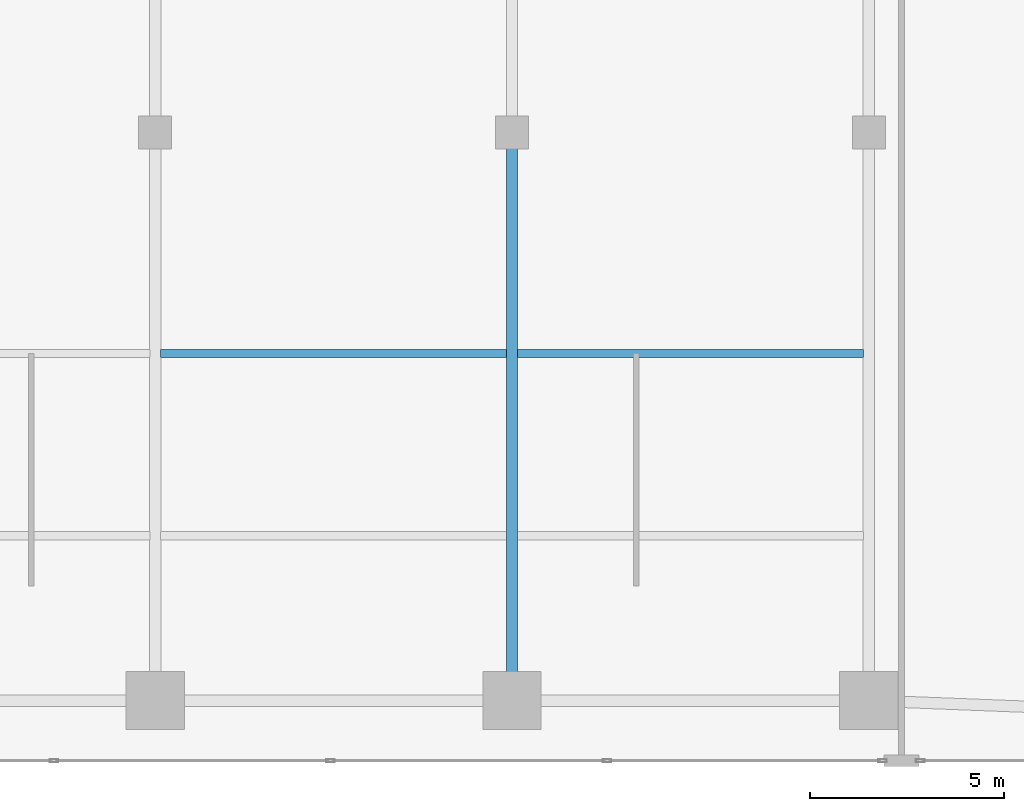
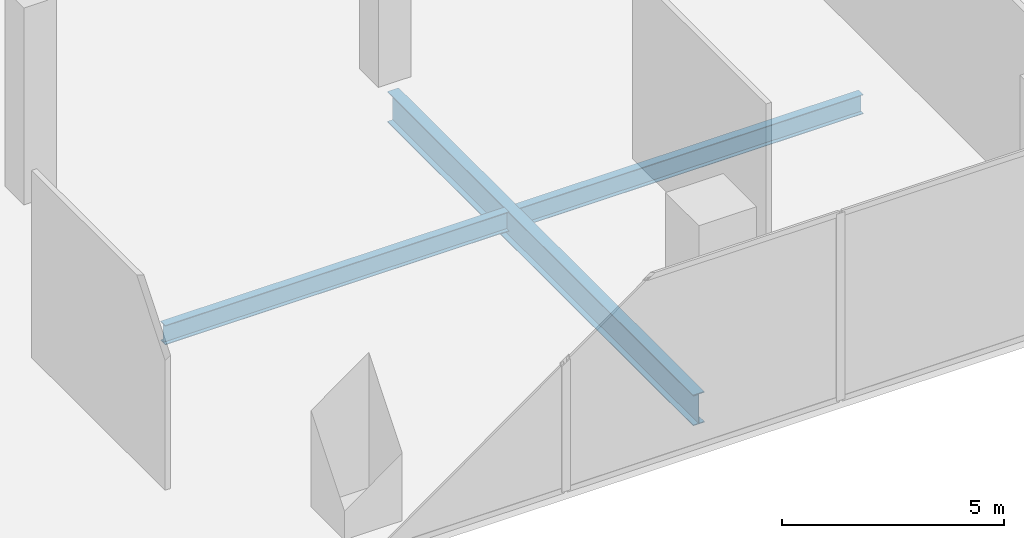
# One storey, part 9 of 30: 3 beams.
"""IFC4 building model written with IfcOpenShell, lengths in metres."""

from ifc_helpers import new_model, si_unit, direction, frame, origin, origin_2d, place, context, subcontext, project, spatial, i_section, extrude, material, material_profile, profile_set, type_object, element, save


model = new_model("IFC4")

# Units and contexts
model_context = context("Model", 3, precision=1e-05, world=origin(), true_north=direction((0.0, 1.0)))
body_context = subcontext(model_context, "Body", "Model", "MODEL_VIEW")
ifc_project = project(units=[si_unit("LENGTHUNIT", "METRE"), si_unit("AREAUNIT", "SQUARE_METRE"), si_unit("VOLUMEUNIT", "CUBIC_METRE"), si_unit("PLANEANGLEUNIT", "RADIAN"), si_unit("MASSUNIT", "GRAM", prefix="KILO")], contexts=[model_context])

# Site, building, storey
site_placement = place(None, origin())
site = spatial("IfcSite", under=ifc_project, at=site_placement, CompositionType="ELEMENT")
building_placement = place(site_placement, origin())
building = spatial("IfcBuilding", under=site, at=building_placement, Name="Zuhayl Quay Hotel", CompositionType="ELEMENT")
storey_placement = place(building_placement, frame((0.0, 0.0, 6.0)))
storey = spatial("IfcBuildingStorey", under=building, at=storey_placement, Name="L01", CompositionType="ELEMENT", Elevation=6.0)

# Beams
ifc_material = material(Name="Steel ASTM A992 Grade 50", Category="steel")
ifc_material_profile_1 = material_profile(ifc_material, i_section(OverallWidth=0.208984375, OverallDepth=0.532958984375, WebThickness=0.01025390625, FlangeThickness=0.015625, at=origin_2d()), Name="W21X62")
ifc_profile_set_1 = profile_set([ifc_material_profile_1], Name="Steel ASTM A992 Grade 50")
beam_type_1 = type_object("IfcBeamType", Name="BM_J1_W21X62", PredefinedType="JOIST", material=ifc_profile_set_1)
beam_1_placement = place(storey_placement, frame((-4.4619140625, -13.5, -0.5166015625), z_axis=(1.0, 0.0, 0.0), x_axis=(0.0, 1.0, 0.0)))
element("IfcBeam", 1, at=beam_1_placement, inside=storey, type_object=beam_type_1, Name="L01 Floor Beam J_POD_L01_2_2", PredefinedType="JOIST", context=body_context, shape_type="SweptSolid", body=[
    extrude(i_section(OverallWidth=0.208984375, OverallDepth=0.532958984375, WebThickness=0.01025390625, FlangeThickness=0.015625, at=origin_2d()), origin(), (0.0, 0.0, 1.0), 8.923828125),
])
beam_2_placement = place(storey_placement, frame((4.738037109375, -13.5, -0.5166015625), z_axis=(1.0, 0.0, 0.0), x_axis=(0.0, 1.0, 0.0)))
element("IfcBeam", 2, at=beam_2_placement, inside=storey, type_object=beam_type_1, Name="L01 Floor Beam J_POD_L01_2_3", PredefinedType="JOIST", context=body_context, shape_type="SweptSolid", body=[
    extrude(i_section(OverallWidth=0.208984375, OverallDepth=0.532958984375, WebThickness=0.01025390625, FlangeThickness=0.015625, at=origin_2d()), origin(), (0.0, 0.0, 1.0), 8.924072265625),
])
ifc_material_profile_2 = material_profile(ifc_material, i_section(OverallWidth=0.2919921875, OverallDepth=0.845947265625, WebThickness=0.015380859375, FlangeThickness=0.0244140625, at=origin_2d()), Name="W33X141")
ifc_profile_set_2 = profile_set([ifc_material_profile_2], Name="Steel ASTM A992 Grade 50")
beam_type_2 = type_object("IfcBeamType", Name="BM_PG3_W33X141", PredefinedType="BEAM", material=ifc_profile_set_2)
beam_3_placement = place(storey_placement, frame((4.60009765625, -21.89990234375, -0.673095703125), z_axis=(0.0, 1.0, 0.0), x_axis=(-1.0, 0.0, 0.0)))
element("IfcBeam", 3, at=beam_3_placement, inside=storey, type_object=beam_type_2, Name="L01 Floor Beam PG_NS1_L01_3", PredefinedType="BEAM", context=body_context, shape_type="SweptSolid", body=[
    extrude(i_section(OverallWidth=0.2919921875, OverallDepth=0.845947265625, WebThickness=0.015380859375, FlangeThickness=0.0244140625, at=origin_2d()), origin(), (0.0, 0.0, 1.0), 13.75),
])

save(model, "model.ifc")
